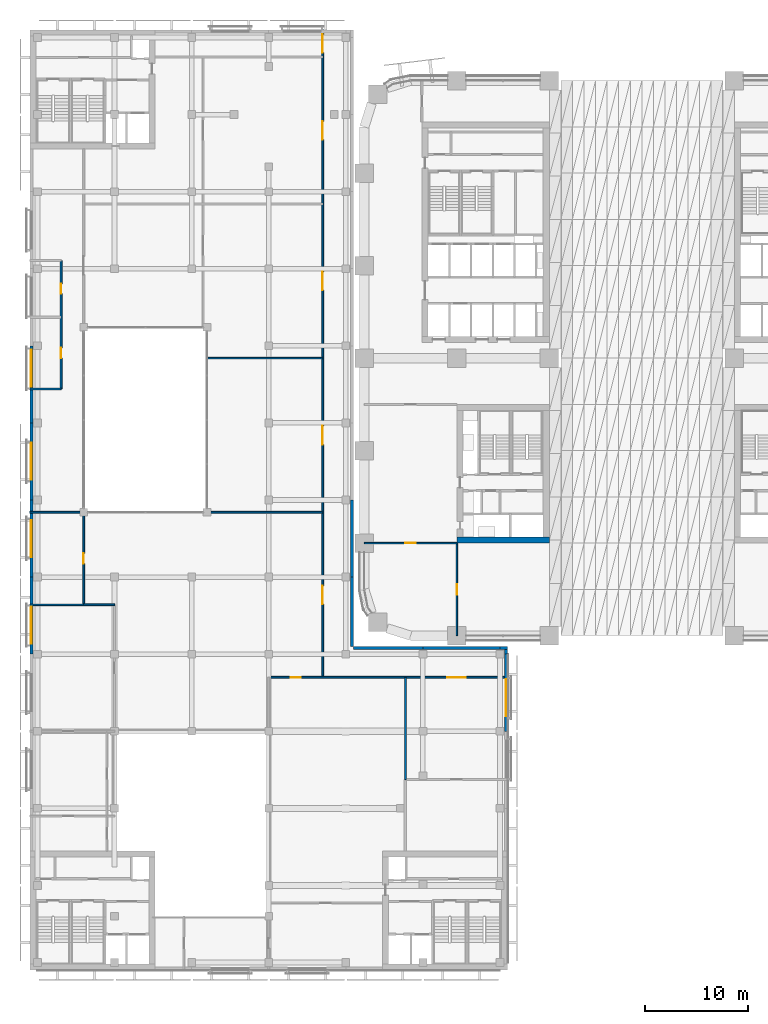
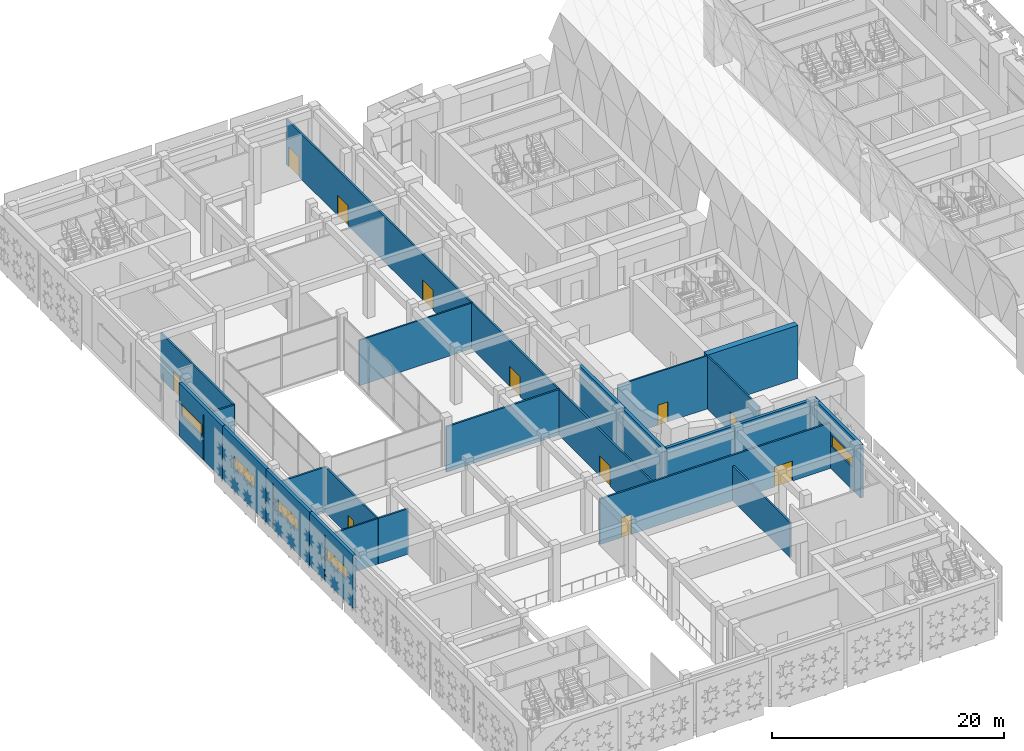
# One storey, part 16 of 46: 25 walls, 12 doors, 5 windows, 17 openings.
"""IFC4 building model written with IfcOpenShell, lengths in metres."""

from ifc_helpers import new_model, si_unit, direction, frame, frame_2d, origin, place, context, subcontext, project, spatial, rectangle, extrude, material, layer, layer_set, type_object, element, fill, save


model = new_model("IFC4")

# Units and contexts
model_context = context("Model", 3, precision=1e-05, world=origin(), true_north=direction((0.0, 1.0)))
body_context = subcontext(model_context, "Body", "Model", "MODEL_VIEW")
ifc_project = project(units=[si_unit("LENGTHUNIT", "METRE"), si_unit("AREAUNIT", "SQUARE_METRE"), si_unit("VOLUMEUNIT", "CUBIC_METRE"), si_unit("PLANEANGLEUNIT", "RADIAN"), si_unit("MASSUNIT", "GRAM", prefix="KILO")], contexts=[model_context])

# Site, building, storey
site_placement = place(None, origin())
site = spatial("IfcSite", under=ifc_project, at=site_placement, CompositionType="ELEMENT")
building_placement = place(site_placement, origin())
building = spatial("IfcBuilding", under=site, at=building_placement, Name="Tessera Arch", CompositionType="ELEMENT")
storey_placement = place(building_placement, frame((0.0, 0.0, 8.0)))
storey = spatial("IfcBuildingStorey", under=building, at=storey_placement, Name="L01", CompositionType="ELEMENT", Elevation=8.0)

# Wall
ifc_material_1 = material(Name="Concrete C70/85", Category="concrete")
ifc_layer_1 = layer(ifc_material_1, 0.60009765625)
ifc_layer_set_1 = layer_set([ifc_layer_1], Name="Core shell wall 600 C70-85")
wall_type_1 = type_object("IfcWallType", Name="Core shell wall 600 C70-85", PredefinedType="SHEAR", material=ifc_layer_set_1)
wall_1_placement = place(storey_placement, frame((9.0, 9.300048828125, 0.0), z_axis=(0.0, 0.0, 1.0), x_axis=(1.0, 0.0, 0.0)))
element("IfcWall", 1, at=wall_1_placement, inside=storey, type_object=wall_type_1, Name="L01 C4 core wall S", PredefinedType="SHEAR", context=body_context, shape_type="SweptSolid", body=[
    extrude(rectangle(XDim=9.0, YDim=0.60009765625, at=frame_2d((4.5, 0.0))), origin(), (0.0, 0.0, 1.0), 5.590087890625),
])

# Wall, openings, doors
ifc_material_2 = material(Name="Gypsum board on deep steel stud with mineral wool", Category="steel")
ifc_layer_2 = layer(ifc_material_2, 0.175048828125)
ifc_layer_set_2 = layer_set([ifc_layer_2], Name="Corridor wall 175 EI 60")
wall_type_2 = type_object("IfcWallType", Name="Corridor wall 175 EI 60", PredefinedType="PARTITIONING", material=ifc_layer_set_2)
wall_2_placement = place(storey_placement, frame((-9.300048828125, -4.050048828125, 0.0), z_axis=(0.0, 0.0, 1.0), x_axis=(1.0, 0.0, 0.0)))
wall_2 = element("IfcWall", 2, at=wall_2_placement, inside=storey, type_object=wall_type_2, Name="L01 partition 2", PredefinedType="PARTITIONING", context=body_context, shape_type="SweptSolid", body=[
    extrude(rectangle(XDim=23.25, YDim=0.175048828125, at=frame_2d((11.625, 0.0))), origin(), (0.0, 0.0, 1.0), 4.7900390625),
])
opening_1_placement = place(wall_2_placement, frame((17.375, 0.0, 0.0)))
opening_1 = element("IfcOpeningElement", 3, at=opening_1_placement, cuts=wall_2, Name="Opening L01-D002", PredefinedType="OPENING", context=body_context, shape_type="SweptSolid", body=[
    extrude(rectangle(XDim=1.800048828125, YDim=2.10009765625, at=frame_2d((0.89990234375, 1.050048828125))), frame((0.0, 0.097412109375, 0.0), z_axis=(0.0, -1.0, 0.0), x_axis=(1.0, 0.0, 0.0)), (0.0, 0.0, 1.0), 0.195068359375),
])
opening_2_placement = place(wall_2_placement, frame((2.125, 0.0, 0.0)))
opening_2 = element("IfcOpeningElement", 4, at=opening_2_placement, cuts=wall_2, Name="Opening L01-D015", PredefinedType="OPENING", context=body_context, shape_type="SweptSolid", body=[
    extrude(rectangle(XDim=1.0, YDim=2.10009765625, at=frame_2d((0.5, 1.050048828125))), frame((0.0, 0.097412109375, 0.0), z_axis=(0.0, -1.0, 0.0), x_axis=(1.0, 0.0, 0.0)), (0.0, 0.0, 1.0), 0.195068359375),
])
ifc_material_3 = material(Name="Timber door leaf", Category="wood")
door_type_1 = type_object("IfcDoorType", Name="Double door 1800 x 2100", OperationType="DOUBLE_DOOR_SINGLE_SWING", PredefinedType="DOOR", material=ifc_material_3)
door_1_placement = place(opening_1_placement, origin())
door_1 = element("IfcDoor", 5, at=door_1_placement, inside=storey, type_object=door_type_1, Name="L01 door D002 type D13", OperationType="DOUBLE_DOOR_SINGLE_SWING", OverallHeight=2.10009765625, OverallWidth=1.800048828125, PredefinedType="DOOR", context=body_context, shape_type="SweptSolid", body=[
    extrude(rectangle(XDim=1.800048828125, YDim=2.10009765625, at=frame_2d((0.89990234375, 1.050048828125))), frame((0.0, 0.02490234375, 0.0), z_axis=(0.0, -1.0, 0.0), x_axis=(1.0, 0.0, 0.0)), (0.0, 0.0, 1.0), 0.050048828125),
])
fill(opening_1, door_1)
ifc_material_4 = material(Name="Fire-rated door leaf")
door_type_2 = type_object("IfcDoorType", Name="Entrance door FD30S 1000 x 2100", OperationType="SINGLE_SWING_LEFT", PredefinedType="DOOR", material=ifc_material_4)
door_2_placement = place(opening_2_placement, origin())
door_2 = element("IfcDoor", 6, at=door_2_placement, inside=storey, type_object=door_type_2, Name="L01 door D015 type D03", OperationType="SINGLE_SWING_LEFT", OverallHeight=2.10009765625, OverallWidth=1.0, PredefinedType="DOOR", context=body_context, shape_type="SweptSolid", body=[
    extrude(rectangle(XDim=1.0, YDim=2.10009765625, at=frame_2d((0.5, 1.050048828125))), frame((0.0, 0.02490234375, 0.0), z_axis=(0.0, -1.0, 0.0), x_axis=(1.0, 0.0, 0.0)), (0.0, 0.0, 1.0), 0.050048828125),
])
fill(opening_2, door_2)

# Walls
wall_3_placement = place(storey_placement, frame((-27.300048828125, 3.0, 0.0), z_axis=(0.0, 0.0, 1.0), x_axis=(1.0, 0.0, 0.0)))
element("IfcWall", 7, at=wall_3_placement, inside=storey, type_object=wall_type_2, Name="L01 partition 3", PredefinedType="PARTITIONING", context=body_context, shape_type="SweptSolid", body=[
    extrude(rectangle(XDim=3.0, YDim=0.175048828125, at=frame_2d((1.5, 0.0))), origin(), (0.0, 0.0, 1.0), 4.7900390625),
])
wall_4_placement = place(storey_placement, frame((-32.550048828125, 12.0, 0.0), z_axis=(0.0, 0.0, 1.0), x_axis=(1.0, 0.0, 0.0)))
element("IfcWall", 8, at=wall_4_placement, inside=storey, type_object=wall_type_2, Name="L01 partition 5", PredefinedType="PARTITIONING", context=body_context, shape_type="SweptSolid", body=[
    extrude(rectangle(XDim=5.25, YDim=0.175048828125, at=frame_2d((2.625, 0.0))), origin(), (0.0, 0.0, 1.0), 4.7900390625),
])
wall_5_placement = place(storey_placement, frame((-15.300048828125, 12.0, 0.0), z_axis=(0.0, 0.0, 1.0), x_axis=(1.0, 0.0, 0.0)))
element("IfcWall", 9, at=wall_5_placement, inside=storey, type_object=wall_type_2, Name="L01 partition 6", PredefinedType="PARTITIONING", context=body_context, shape_type="SweptSolid", body=[
    extrude(rectangle(XDim=11.25, YDim=0.175048828125, at=frame_2d((5.625, 0.0))), origin(), (0.0, 0.0, 1.0), 4.7900390625),
])
wall_6_placement = place(storey_placement, frame((-32.550048828125, 24.0, 0.0), z_axis=(0.0, 0.0, 1.0), x_axis=(1.0, 0.0, 0.0)))
element("IfcWall", 10, at=wall_6_placement, inside=storey, type_object=wall_type_2, Name="L01 partition 8", PredefinedType="PARTITIONING", context=body_context, shape_type="SweptSolid", body=[
    extrude(rectangle(XDim=3.050048828125, YDim=0.175048828125, at=frame_2d((1.52490234375, 0.0))), origin(), (0.0, 0.0, 1.0), 4.7900390625),
])

# Wall, openings, doors
wall_7_placement = place(storey_placement, frame((-29.5, 24.0, 0.0), z_axis=(0.0, 0.0, 1.0), x_axis=(0.0, 1.0, 0.0)))
wall_7 = element("IfcWall", 11, at=wall_7_placement, inside=storey, type_object=wall_type_2, Name="L01 partition 13", PredefinedType="PARTITIONING", context=body_context, shape_type="SweptSolid", body=[
    extrude(rectangle(XDim=12.5, YDim=0.175048828125, at=frame_2d((6.25, 0.0))), origin(), (0.0, 0.0, 1.0), 4.7900390625),
])
opening_3_placement = place(wall_7_placement, frame((3.0, 0.0, 0.0)))
opening_3 = element("IfcOpeningElement", 12, at=opening_3_placement, cuts=wall_7, Name="Opening L01-D018", PredefinedType="OPENING", context=body_context, shape_type="SweptSolid", body=[
    extrude(rectangle(XDim=1.0, YDim=2.10009765625, at=frame_2d((0.5, 1.050048828125))), frame((0.0, 0.097412109375, 0.0), z_axis=(0.0, -1.0, 0.0), x_axis=(1.0, 0.0, 0.0)), (0.0, 0.0, 1.0), 0.195068359375),
])
opening_4_placement = place(wall_7_placement, frame((9.25, 0.0, 0.0)))
opening_4 = element("IfcOpeningElement", 13, at=opening_4_placement, cuts=wall_7, Name="Opening L01-D019", PredefinedType="OPENING", context=body_context, shape_type="SweptSolid", body=[
    extrude(rectangle(XDim=1.0, YDim=2.10009765625, at=frame_2d((0.5, 1.050048828125))), frame((0.0, 0.097412109375, 0.0), z_axis=(0.0, -1.0, 0.0), x_axis=(1.0, 0.0, 0.0)), (0.0, 0.0, 1.0), 0.195068359375),
])
door_3_placement = place(opening_3_placement, origin())
door_3 = element("IfcDoor", 14, at=door_3_placement, inside=storey, type_object=door_type_2, Name="L01 door D018 type D03", OperationType="SINGLE_SWING_RIGHT", OverallHeight=2.10009765625, OverallWidth=1.0, PredefinedType="DOOR", context=body_context, shape_type="SweptSolid", body=[
    extrude(rectangle(XDim=1.0, YDim=2.10009765625, at=frame_2d((0.5, 1.050048828125))), frame((0.0, 0.02490234375, 0.0), z_axis=(0.0, -1.0, 0.0), x_axis=(1.0, 0.0, 0.0)), (0.0, 0.0, 1.0), 0.050048828125),
])
fill(opening_3, door_3)
door_4_placement = place(opening_4_placement, origin())
door_4 = element("IfcDoor", 15, at=door_4_placement, inside=storey, type_object=door_type_2, Name="L01 door D019 type D03", OperationType="SINGLE_SWING_RIGHT", OverallHeight=2.10009765625, OverallWidth=1.0, PredefinedType="DOOR", context=body_context, shape_type="SweptSolid", body=[
    extrude(rectangle(XDim=1.0, YDim=2.10009765625, at=frame_2d((0.5, 1.050048828125))), frame((0.0, 0.02490234375, 0.0), z_axis=(0.0, -1.0, 0.0), x_axis=(1.0, 0.0, 0.0)), (0.0, 0.0, 1.0), 0.050048828125),
])
fill(opening_4, door_4)

# Wall, opening, door
wall_8_placement = place(storey_placement, frame((-27.300048828125, 3.0, 0.0), z_axis=(0.0, 0.0, 1.0), x_axis=(0.0, 1.0, 0.0)))
wall_8 = element("IfcWall", 16, at=wall_8_placement, inside=storey, type_object=wall_type_2, Name="L01 partition 14", PredefinedType="PARTITIONING", context=body_context, shape_type="SweptSolid", body=[
    extrude(rectangle(XDim=9.0, YDim=0.175048828125, at=frame_2d((4.5, 0.0))), origin(), (0.0, 0.0, 1.0), 4.7900390625),
])
opening_5_placement = place(wall_8_placement, frame((4.0, 0.0, 0.0)))
opening_5 = element("IfcOpeningElement", 17, at=opening_5_placement, cuts=wall_8, Name="Opening L01-D017", PredefinedType="OPENING", context=body_context, shape_type="SweptSolid", body=[
    extrude(rectangle(XDim=1.0, YDim=2.10009765625, at=frame_2d((0.5, 1.050048828125))), frame((0.0, 0.097412109375, 0.0), z_axis=(0.0, -1.0, 0.0), x_axis=(1.0, 0.0, 0.0)), (0.0, 0.0, 1.0), 0.195068359375),
])
door_5_placement = place(opening_5_placement, origin())
door_5 = element("IfcDoor", 18, at=door_5_placement, inside=storey, type_object=door_type_2, Name="L01 door D017 type D03", OperationType="SINGLE_SWING_RIGHT", OverallHeight=2.10009765625, OverallWidth=1.0, PredefinedType="DOOR", context=body_context, shape_type="SweptSolid", body=[
    extrude(rectangle(XDim=1.0, YDim=2.10009765625, at=frame_2d((0.5, 1.050048828125))), frame((0.0, 0.02490234375, 0.0), z_axis=(0.0, -1.0, 0.0), x_axis=(1.0, 0.0, 0.0)), (0.0, 0.0, 1.0), 0.050048828125),
])
fill(opening_5, door_5)

# Wall, openings, doors
wall_9_placement = place(storey_placement, frame((-4.050048828125, -4.050048828125, 0.0), z_axis=(0.0, 0.0, 1.0), x_axis=(0.0, 1.0, 0.0)))
wall_9 = element("IfcWall", 19, at=wall_9_placement, inside=storey, type_object=wall_type_2, Name="L01 partition 18", PredefinedType="PARTITIONING", context=body_context, shape_type="SweptSolid", body=[
    extrude(rectangle(XDim=63.0, YDim=0.175048828125, at=frame_2d((31.5, 0.0))), origin(), (0.0, 0.0, 1.0), 4.7900390625),
])
opening_6_placement = place(wall_9_placement, frame((7.125, 0.0, 0.0)))
opening_6 = element("IfcOpeningElement", 20, at=opening_6_placement, cuts=wall_9, Name="Opening L01-D001", PredefinedType="OPENING", context=body_context, shape_type="SweptSolid", body=[
    extrude(rectangle(XDim=1.800048828125, YDim=2.10009765625, at=frame_2d((0.89990234375, 1.050048828125))), frame((0.0, 0.097412109375, 0.0), z_axis=(0.0, -1.0, 0.0), x_axis=(1.0, 0.0, 0.0)), (0.0, 0.0, 1.0), 0.195068359375),
])
opening_7_placement = place(wall_9_placement, frame((60.77490234375, 0.0, 0.0)))
opening_7 = element("IfcOpeningElement", 21, at=opening_7_placement, cuts=wall_9, Name="Opening L01-D003", PredefinedType="OPENING", context=body_context, shape_type="SweptSolid", body=[
    extrude(rectangle(XDim=1.800048828125, YDim=2.10009765625, at=frame_2d((0.89990234375, 1.050048828125))), frame((0.0, 0.097412109375, 0.0), z_axis=(0.0, -1.0, 0.0), x_axis=(1.0, 0.0, 0.0)), (0.0, 0.0, 1.0), 0.195068359375),
])
opening_8_placement = place(wall_9_placement, frame((22.64990234375, 0.0, 0.0)))
opening_8 = element("IfcOpeningElement", 22, at=opening_8_placement, cuts=wall_9, Name="Opening L01-D004", PredefinedType="OPENING", context=body_context, shape_type="SweptSolid", body=[
    extrude(rectangle(XDim=1.800048828125, YDim=2.10009765625, at=frame_2d((0.89990234375, 1.050048828125))), frame((0.0, 0.097412109375, 0.0), z_axis=(0.0, -1.0, 0.0), x_axis=(1.0, 0.0, 0.0)), (0.0, 0.0, 1.0), 0.195068359375),
])
opening_9_placement = place(wall_9_placement, frame((37.64990234375, 0.0, 0.0)))
opening_9 = element("IfcOpeningElement", 23, at=opening_9_placement, cuts=wall_9, Name="Opening L01-D005", PredefinedType="OPENING", context=body_context, shape_type="SweptSolid", body=[
    extrude(rectangle(XDim=1.800048828125, YDim=2.10009765625, at=frame_2d((0.89990234375, 1.050048828125))), frame((0.0, 0.097412109375, 0.0), z_axis=(0.0, -1.0, 0.0), x_axis=(1.0, 0.0, 0.0)), (0.0, 0.0, 1.0), 0.195068359375),
])
opening_10_placement = place(wall_9_placement, frame((52.300048828125, 0.0, 0.0)))
opening_10 = element("IfcOpeningElement", 24, at=opening_10_placement, cuts=wall_9, Name="Opening L01-D006", PredefinedType="OPENING", context=body_context, shape_type="SweptSolid", body=[
    extrude(rectangle(XDim=1.800048828125, YDim=2.10009765625, at=frame_2d((0.89990234375, 1.050048828125))), frame((0.0, 0.097412109375, 0.0), z_axis=(0.0, -1.0, 0.0), x_axis=(1.0, 0.0, 0.0)), (0.0, 0.0, 1.0), 0.195068359375),
])
door_6_placement = place(opening_6_placement, origin())
door_6 = element("IfcDoor", 25, at=door_6_placement, inside=storey, type_object=door_type_1, Name="L01 door D001 type D13", OperationType="DOUBLE_DOOR_SINGLE_SWING", OverallHeight=2.10009765625, OverallWidth=1.800048828125, PredefinedType="DOOR", context=body_context, shape_type="SweptSolid", body=[
    extrude(rectangle(XDim=1.800048828125, YDim=2.10009765625, at=frame_2d((0.89990234375, 1.050048828125))), frame((0.0, 0.02490234375, 0.0), z_axis=(0.0, -1.0, 0.0), x_axis=(1.0, 0.0, 0.0)), (0.0, 0.0, 1.0), 0.050048828125),
])
fill(opening_6, door_6)
door_7_placement = place(opening_7_placement, origin())
door_7 = element("IfcDoor", 26, at=door_7_placement, inside=storey, type_object=door_type_1, Name="L01 door D003 type D13", OperationType="DOUBLE_DOOR_SINGLE_SWING", OverallHeight=2.10009765625, OverallWidth=1.800048828125, PredefinedType="DOOR", context=body_context, shape_type="SweptSolid", body=[
    extrude(rectangle(XDim=1.800048828125, YDim=2.10009765625, at=frame_2d((0.89990234375, 1.050048828125))), frame((0.0, 0.02490234375, 0.0), z_axis=(0.0, -1.0, 0.0), x_axis=(1.0, 0.0, 0.0)), (0.0, 0.0, 1.0), 0.050048828125),
])
fill(opening_7, door_7)
door_8_placement = place(opening_8_placement, origin())
door_8 = element("IfcDoor", 27, at=door_8_placement, inside=storey, type_object=door_type_1, Name="L01 door D004 type D13", OperationType="DOUBLE_DOOR_SINGLE_SWING", OverallHeight=2.10009765625, OverallWidth=1.800048828125, PredefinedType="DOOR", context=body_context, shape_type="SweptSolid", body=[
    extrude(rectangle(XDim=1.800048828125, YDim=2.10009765625, at=frame_2d((0.89990234375, 1.050048828125))), frame((0.0, 0.02490234375, 0.0), z_axis=(0.0, -1.0, 0.0), x_axis=(1.0, 0.0, 0.0)), (0.0, 0.0, 1.0), 0.050048828125),
])
fill(opening_8, door_8)
door_9_placement = place(opening_9_placement, origin())
door_9 = element("IfcDoor", 28, at=door_9_placement, inside=storey, type_object=door_type_1, Name="L01 door D005 type D13", OperationType="DOUBLE_DOOR_SINGLE_SWING", OverallHeight=2.10009765625, OverallWidth=1.800048828125, PredefinedType="DOOR", context=body_context, shape_type="SweptSolid", body=[
    extrude(rectangle(XDim=1.800048828125, YDim=2.10009765625, at=frame_2d((0.89990234375, 1.050048828125))), frame((0.0, 0.02490234375, 0.0), z_axis=(0.0, -1.0, 0.0), x_axis=(1.0, 0.0, 0.0)), (0.0, 0.0, 1.0), 0.050048828125),
])
fill(opening_9, door_9)
door_10_placement = place(opening_10_placement, origin())
door_10 = element("IfcDoor", 29, at=door_10_placement, inside=storey, type_object=door_type_1, Name="L01 door D006 type D13", OperationType="DOUBLE_DOOR_SINGLE_SWING", OverallHeight=2.10009765625, OverallWidth=1.800048828125, PredefinedType="DOOR", context=body_context, shape_type="SweptSolid", body=[
    extrude(rectangle(XDim=1.800048828125, YDim=2.10009765625, at=frame_2d((0.89990234375, 1.050048828125))), frame((0.0, 0.02490234375, 0.0), z_axis=(0.0, -1.0, 0.0), x_axis=(1.0, 0.0, 0.0)), (0.0, 0.0, 1.0), 0.050048828125),
])
fill(opening_10, door_10)

# Wall
wall_10_placement = place(storey_placement, frame((4.0, -14.0, 0.0), z_axis=(0.0, 0.0, 1.0), x_axis=(0.0, 1.0, 0.0)))
element("IfcWall", 30, at=wall_10_placement, inside=storey, type_object=wall_type_2, Name="L01 partition 19", PredefinedType="PARTITIONING", context=body_context, shape_type="SweptSolid", body=[
    extrude(rectangle(XDim=9.949951171875, YDim=0.175048828125, at=frame_2d((4.97509765625, 0.0))), origin(), (0.0, 0.0, 1.0), 3.68994140625),
])

# Wall, opening, window
ifc_material_5 = material(Name="Aluminium cladding pale metal anodised", Category="aluminium")
ifc_layer_3 = layer(ifc_material_5, 0.300048828125)
ifc_layer_set_3 = layer_set([ifc_layer_3], Name="Museum envelope wall pale metal")
wall_type_3 = type_object("IfcWallType", Name="Museum envelope wall pale metal", PredefinedType="SOLIDWALL", material=ifc_layer_set_3)
wall_11_placement = place(storey_placement, frame((13.800048828125, -9.300048828125, 0.0), z_axis=(0.0, 0.0, 1.0), x_axis=(0.0, 1.0, 0.0)))
wall_11 = element("IfcWall", 31, at=wall_11_placement, inside=storey, type_object=wall_type_3, Name="Museum external wall pale metal mashrabiya pattern", PredefinedType="SOLIDWALL", context=body_context, shape_type="SweptSolid", body=[
    extrude(rectangle(XDim=7.5, YDim=0.300048828125, at=frame_2d((3.75, 0.0))), origin(), (0.0, 0.0, 1.0), 5.590087890625),
])
opening_11_placement = place(wall_11_placement, frame((1.449951171875, 0.0, 2.39990234375)))
opening_11 = element("IfcOpeningElement", 32, at=opening_11_placement, cuts=wall_11, Name="Opening L01-MV15", PredefinedType="OPENING", context=body_context, shape_type="SweptSolid", body=[
    extrude(rectangle(XDim=3.60009765625, YDim=1.199951171875, at=frame_2d((1.800048828125, 0.60009765625))), frame((0.0, 0.159912109375, 0.0), z_axis=(0.0, -1.0, 0.0), x_axis=(1.0, 0.0, 0.0)), (0.0, 0.0, 1.0), 0.320068359375),
])
ifc_material_6 = material(Name="Clear low-e glass in aluminium frame", Category="aluminium")
window_type = type_object("IfcWindowType", Name="Museum clerestory window", PartitioningType="SINGLE_PANEL", PredefinedType="WINDOW", material=ifc_material_6)
window_1_placement = place(opening_11_placement, origin())
window_1 = element("IfcWindow", 33, at=window_1_placement, inside=storey, type_object=window_type, Name="Museum window L01 2-5", OverallHeight=1.199951171875, OverallWidth=3.60009765625, PartitioningType="SINGLE_PANEL", PredefinedType="WINDOW", context=body_context, shape_type="SweptSolid", body=[
    extrude(rectangle(XDim=3.60009765625, YDim=1.199951171875, at=frame_2d((1.800048828125, 0.60009765625))), frame((0.0, 0.030029296875, 0.0), z_axis=(0.0, -1.0, 0.0), x_axis=(1.0, 0.0, 0.0)), (0.0, 0.0, 1.0), 0.06005859375),
])
fill(opening_11, window_1)

# Wall
wall_12_placement = place(storey_placement, frame((13.800048828125, -1.800048828125, 0.0), z_axis=(0.0, 0.0, 1.0), x_axis=(0.0, 1.0, 0.0)))
element("IfcWall", 34, at=wall_12_placement, inside=storey, type_object=wall_type_3, Name="Museum external wall pale metal mashrabiya pattern", PredefinedType="SOLIDWALL", context=body_context, shape_type="SweptSolid", body=[
    extrude(rectangle(XDim=0.449951171875, YDim=0.300048828125, at=frame_2d((0.22509765625, 0.0))), origin(), (0.0, 0.0, 1.0), 5.590087890625),
])

# Wall, opening, window
wall_13_placement = place(storey_placement, frame((-32.39990234375, 28.199951171875, 0.0), z_axis=(0.0, 0.0, 1.0), x_axis=(0.0, -1.0, 0.0)))
wall_13 = element("IfcWall", 35, at=wall_13_placement, inside=storey, type_object=wall_type_3, Name="Museum external wall pale metal mashrabiya pattern", PredefinedType="SOLIDWALL", context=body_context, shape_type="SweptSolid", body=[
    extrude(rectangle(XDim=7.5, YDim=0.300048828125, at=frame_2d((3.75, 0.0))), origin(), (0.0, 0.0, 1.0), 5.590087890625),
])
opening_12_placement = place(wall_13_placement, frame((0.39990234375, 0.0, 2.39990234375)))
opening_12 = element("IfcOpeningElement", 36, at=opening_12_placement, cuts=wall_13, Name="Opening L01-MV20", PredefinedType="OPENING", context=body_context, shape_type="SweptSolid", body=[
    extrude(rectangle(XDim=3.60009765625, YDim=1.199951171875, at=frame_2d((1.800048828125, 0.60009765625))), frame((0.0, 0.159912109375, 0.0), z_axis=(0.0, -1.0, 0.0), x_axis=(1.0, 0.0, 0.0)), (0.0, 0.0, 1.0), 0.320068359375),
])
window_2_placement = place(opening_12_placement, origin())
window_2 = element("IfcWindow", 37, at=window_2_placement, inside=storey, type_object=window_type, Name="Museum window L01 6-6", OverallHeight=1.199951171875, OverallWidth=3.60009765625, PartitioningType="SINGLE_PANEL", PredefinedType="WINDOW", context=body_context, shape_type="SweptSolid", body=[
    extrude(rectangle(XDim=3.60009765625, YDim=1.199951171875, at=frame_2d((1.800048828125, 0.60009765625))), frame((0.0, 0.030029296875, 0.0), z_axis=(0.0, -1.0, 0.0), x_axis=(1.0, 0.0, 0.0)), (0.0, 0.0, 1.0), 0.06005859375),
])
fill(opening_12, window_2)

wall_14_placement = place(storey_placement, frame((-32.39990234375, 20.699951171875, 0.0), z_axis=(0.0, 0.0, 1.0), x_axis=(0.0, -1.0, 0.0)))
wall_14 = element("IfcWall", 38, at=wall_14_placement, inside=storey, type_object=wall_type_3, Name="Museum external wall pale metal mashrabiya pattern", PredefinedType="SOLIDWALL", context=body_context, shape_type="SweptSolid", body=[
    extrude(rectangle(XDim=7.5, YDim=0.300048828125, at=frame_2d((3.75, 0.0))), origin(), (0.0, 0.0, 1.0), 5.590087890625),
])
opening_13_placement = place(wall_14_placement, frame((1.949951171875, 0.0, 2.39990234375)))
opening_13 = element("IfcOpeningElement", 39, at=opening_13_placement, cuts=wall_14, Name="Opening L01-MV21", PredefinedType="OPENING", context=body_context, shape_type="SweptSolid", body=[
    extrude(rectangle(XDim=3.60009765625, YDim=1.199951171875, at=frame_2d((1.800048828125, 0.60009765625))), frame((0.0, 0.159912109375, 0.0), z_axis=(0.0, -1.0, 0.0), x_axis=(1.0, 0.0, 0.0)), (0.0, 0.0, 1.0), 0.320068359375),
])
window_3_placement = place(opening_13_placement, origin())
window_3 = element("IfcWindow", 40, at=window_3_placement, inside=storey, type_object=window_type, Name="Museum window L01 6-7", OverallHeight=1.199951171875, OverallWidth=3.60009765625, PartitioningType="SINGLE_PANEL", PredefinedType="WINDOW", context=body_context, shape_type="SweptSolid", body=[
    extrude(rectangle(XDim=3.60009765625, YDim=1.199951171875, at=frame_2d((1.800048828125, 0.60009765625))), frame((0.0, 0.030029296875, 0.0), z_axis=(0.0, -1.0, 0.0), x_axis=(1.0, 0.0, 0.0)), (0.0, 0.0, 1.0), 0.06005859375),
])
fill(opening_13, window_3)

wall_15_placement = place(storey_placement, frame((-32.39990234375, 13.199951171875, 0.0), z_axis=(0.0, 0.0, 1.0), x_axis=(0.0, -1.0, 0.0)))
wall_15 = element("IfcWall", 41, at=wall_15_placement, inside=storey, type_object=wall_type_3, Name="Museum external wall pale metal mashrabiya pattern", PredefinedType="SOLIDWALL", context=body_context, shape_type="SweptSolid", body=[
    extrude(rectangle(XDim=7.5, YDim=0.300048828125, at=frame_2d((3.75, 0.0))), origin(), (0.0, 0.0, 1.0), 5.590087890625),
])
opening_14_placement = place(wall_15_placement, frame((1.949951171875, 0.0, 2.39990234375)))
opening_14 = element("IfcOpeningElement", 42, at=opening_14_placement, cuts=wall_15, Name="Opening L01-MV22", PredefinedType="OPENING", context=body_context, shape_type="SweptSolid", body=[
    extrude(rectangle(XDim=3.60009765625, YDim=1.199951171875, at=frame_2d((1.800048828125, 0.60009765625))), frame((0.0, 0.159912109375, 0.0), z_axis=(0.0, -1.0, 0.0), x_axis=(1.0, 0.0, 0.0)), (0.0, 0.0, 1.0), 0.320068359375),
])
window_4_placement = place(opening_14_placement, origin())
window_4 = element("IfcWindow", 43, at=window_4_placement, inside=storey, type_object=window_type, Name="Museum window L01 6-8", OverallHeight=1.199951171875, OverallWidth=3.60009765625, PartitioningType="SINGLE_PANEL", PredefinedType="WINDOW", context=body_context, shape_type="SweptSolid", body=[
    extrude(rectangle(XDim=3.60009765625, YDim=1.199951171875, at=frame_2d((1.800048828125, 0.60009765625))), frame((0.0, 0.030029296875, 0.0), z_axis=(0.0, -1.0, 0.0), x_axis=(1.0, 0.0, 0.0)), (0.0, 0.0, 1.0), 0.06005859375),
])
fill(opening_14, window_4)

wall_16_placement = place(storey_placement, frame((-32.39990234375, 5.699951171875, 0.0), z_axis=(0.0, 0.0, 1.0), x_axis=(0.0, -1.0, 0.0)))
wall_16 = element("IfcWall", 44, at=wall_16_placement, inside=storey, type_object=wall_type_3, Name="Museum external wall pale metal mashrabiya pattern", PredefinedType="SOLIDWALL", context=body_context, shape_type="SweptSolid", body=[
    extrude(rectangle(XDim=7.5, YDim=0.300048828125, at=frame_2d((3.75, 0.0))), origin(), (0.0, 0.0, 1.0), 5.590087890625),
])
opening_15_placement = place(wall_16_placement, frame((2.89990234375, 0.0, 2.39990234375)))
opening_15 = element("IfcOpeningElement", 45, at=opening_15_placement, cuts=wall_16, Name="Opening L01-MV23", PredefinedType="OPENING", context=body_context, shape_type="SweptSolid", body=[
    extrude(rectangle(XDim=3.60009765625, YDim=1.199951171875, at=frame_2d((1.800048828125, 0.60009765625))), frame((0.0, 0.159912109375, 0.0), z_axis=(0.0, -1.0, 0.0), x_axis=(1.0, 0.0, 0.0)), (0.0, 0.0, 1.0), 0.320068359375),
])
window_5_placement = place(opening_15_placement, origin())
window_5 = element("IfcWindow", 46, at=window_5_placement, inside=storey, type_object=window_type, Name="Museum window L01 6-9", OverallHeight=1.199951171875, OverallWidth=3.60009765625, PartitioningType="SINGLE_PANEL", PredefinedType="WINDOW", context=body_context, shape_type="SweptSolid", body=[
    extrude(rectangle(XDim=3.60009765625, YDim=1.199951171875, at=frame_2d((1.800048828125, 0.60009765625))), frame((0.0, 0.030029296875, 0.0), z_axis=(0.0, -1.0, 0.0), x_axis=(1.0, 0.0, 0.0)), (0.0, 0.0, 1.0), 0.06005859375),
])
fill(opening_15, window_5)

# Walls
ifc_material_7 = material(Name="Concrete C40/50", Category="concrete")
ifc_layer_4 = layer(ifc_material_7, 0.300048828125)
ifc_layer_set_4 = layer_set([ifc_layer_4], Name="Museum fire wall")
wall_type_4 = type_object("IfcWallType", Name="Museum fire wall", PredefinedType="SOLIDWALL", material=ifc_layer_set_4)
wall_17_placement = place(storey_placement, frame((13.949951171875, -1.199951171875, 0.0), z_axis=(0.0, 0.0, 1.0), x_axis=(-1.0, 0.0, 0.0)))
element("IfcWall", 47, at=wall_17_placement, inside=storey, type_object=wall_type_4, Name="Museum fire wall at the movement joint", PredefinedType="SOLIDWALL", context=body_context, shape_type="SweptSolid", body=[
    extrude(rectangle(XDim=0.75, YDim=0.300048828125, at=frame_2d((0.375, 0.0))), origin(), (0.0, 0.0, 1.0), 5.590087890625),
])
wall_18_placement = place(storey_placement, frame((13.199951171875, -1.199951171875, 0.0), z_axis=(0.0, 0.0, 1.0), x_axis=(-1.0, 0.0, 0.0)))
element("IfcWall", 48, at=wall_18_placement, inside=storey, type_object=wall_type_4, Name="Museum fire wall at the movement joint", PredefinedType="SOLIDWALL", context=body_context, shape_type="SweptSolid", body=[
    extrude(rectangle(XDim=7.5, YDim=0.300048828125, at=frame_2d((3.75, 0.0))), origin(), (0.0, 0.0, 1.0), 5.590087890625),
])
for number, where, z_axis, x_axis, name in (
    (49, (5.699951171875, -1.199951171875, 0.0), (0.0, 0.0, 1.0), (-1.0, 0.0, 0.0), "Museum fire wall at the movement joint"),
    (50, (-1.199951171875, -1.050048828125, 0.0), (0.0, 0.0, 1.0), (0.0, 1.0, 0.0), "Museum fire wall at the movement joint"),
):
    element("IfcWall", number, at=place(storey_placement, frame(where, z_axis=z_axis, x_axis=x_axis)), inside=storey, type_object=wall_type_4, Name=name, PredefinedType="SOLIDWALL", context=body_context, shape_type="SweptSolid", body=[
        extrude(rectangle(XDim=6.75, YDim=0.300048828125, at=frame_2d((3.375, 0.0))), origin(), (0.0, 0.0, 1.0), 5.590087890625),
    ])
wall_19_placement = place(storey_placement, frame((-1.199951171875, 5.699951171875, 0.0), z_axis=(0.0, 0.0, 1.0), x_axis=(0.0, 1.0, 0.0)))
element("IfcWall", 51, at=wall_19_placement, inside=storey, type_object=wall_type_4, Name="Museum fire wall at the movement joint", PredefinedType="SOLIDWALL", context=body_context, shape_type="SweptSolid", body=[
    extrude(rectangle(XDim=7.5, YDim=0.300048828125, at=frame_2d((3.75, 0.0))), origin(), (0.0, 0.0, 1.0), 5.590087890625),
])
ifc_material_8 = material(Name="Gypsum board on steel stud", Category="steel")
ifc_layer_5 = layer(ifc_material_8, 0.14990234375)
ifc_layer_set_5 = layer_set([ifc_layer_5], Name="Partition 150")
wall_type_5 = type_object("IfcWallType", Name="Partition 150", PredefinedType="PARTITIONING", material=ifc_layer_set_5)
wall_20_placement = place(storey_placement, frame((-32.550048828125, 3.0, 0.0), z_axis=(0.0, 0.0, 1.0), x_axis=(1.0, 0.0, 0.0)))
element("IfcWall", 52, at=wall_20_placement, inside=storey, type_object=wall_type_5, Name="L01 partition 24", PredefinedType="PARTITIONING", context=body_context, shape_type="SweptSolid", body=[
    extrude(rectangle(XDim=5.25, YDim=0.14990234375, at=frame_2d((2.625, 0.0))), origin(), (0.0, 0.0, 1.0), 4.7900390625),
])
wall_21_placement = place(storey_placement, frame((-15.300048828125, 27.0, 0.0), z_axis=(0.0, 0.0, 1.0), x_axis=(1.0, 0.0, 0.0)))
element("IfcWall", 53, at=wall_21_placement, inside=storey, type_object=wall_type_5, Name="L01 partition 25", PredefinedType="PARTITIONING", context=body_context, shape_type="SweptSolid", body=[
    extrude(rectangle(XDim=11.25, YDim=0.14990234375, at=frame_2d((5.625, 0.0))), origin(), (0.0, 0.0, 1.0), 4.7900390625),
])

# Wall, opening, door
ifc_material_9 = material(Name="Gypsum board on steel stud", Category="steel")
ifc_layer_6 = layer(ifc_material_9, 0.14990234375)
ifc_layer_set_6 = layer_set([ifc_layer_6], Name="Partition 150 EI 30")
wall_type_6 = type_object("IfcWallType", Name="Partition 150 EI 30", PredefinedType="PARTITIONING", material=ifc_layer_set_6)
wall_22_placement = place(storey_placement, frame((0.0, 9.0, 0.0), z_axis=(0.0, 0.0, 1.0), x_axis=(1.0, 0.0, 0.0)))
wall_22 = element("IfcWall", 54, at=wall_22_placement, inside=storey, type_object=wall_type_6, Name="L01 partition 31", PredefinedType="PARTITIONING", context=body_context, shape_type="SweptSolid", body=[
    extrude(rectangle(XDim=9.0, YDim=0.14990234375, at=frame_2d((4.5, 0.0))), origin(), (0.0, 0.0, 1.0), 5.590087890625),
])
opening_16_placement = place(wall_22_placement, frame((4.0, 0.0, 0.0)))
opening_16 = element("IfcOpeningElement", 55, at=opening_16_placement, cuts=wall_22, Name="Opening L01-D024", PredefinedType="OPENING", context=body_context, shape_type="SweptSolid", body=[
    extrude(rectangle(XDim=1.0, YDim=2.10009765625, at=frame_2d((0.5, 1.050048828125))), frame((0.0, 0.0849609375, 0.0), z_axis=(0.0, -1.0, 0.0), x_axis=(1.0, 0.0, 0.0)), (0.0, 0.0, 1.0), 0.169921875),
])
door_11_placement = place(opening_16_placement, origin())
door_11 = element("IfcDoor", 56, at=door_11_placement, inside=storey, type_object=door_type_2, Name="L01 door D024 type D03", OperationType="SINGLE_SWING_LEFT", OverallHeight=2.10009765625, OverallWidth=1.0, PredefinedType="DOOR", context=body_context, shape_type="SweptSolid", body=[
    extrude(rectangle(XDim=1.0, YDim=2.10009765625, at=frame_2d((0.5, 1.050048828125))), frame((0.0, 0.02490234375, 0.0), z_axis=(0.0, -1.0, 0.0), x_axis=(1.0, 0.0, 0.0)), (0.0, 0.0, 1.0), 0.050048828125),
])
fill(opening_16, door_11)

wall_23_placement = place(storey_placement, frame((9.0, 0.0, 0.0), z_axis=(0.0, 0.0, 1.0), x_axis=(0.0, 1.0, 0.0)))
wall_23 = element("IfcWall", 57, at=wall_23_placement, inside=storey, type_object=wall_type_6, Name="L01 partition 35", PredefinedType="PARTITIONING", context=body_context, shape_type="SweptSolid", body=[
    extrude(rectangle(XDim=9.0, YDim=0.14990234375, at=frame_2d((4.5, 0.0))), origin(), (0.0, 0.0, 1.0), 5.590087890625),
])
opening_17_placement = place(wall_23_placement, frame((4.0, 0.0, 0.0)))
opening_17 = element("IfcOpeningElement", 58, at=opening_17_placement, cuts=wall_23, Name="Opening L01-D025", PredefinedType="OPENING", context=body_context, shape_type="SweptSolid", body=[
    extrude(rectangle(XDim=1.0, YDim=2.10009765625, at=frame_2d((0.5, 1.050048828125))), frame((0.0, 0.0849609375, 0.0), z_axis=(0.0, -1.0, 0.0), x_axis=(1.0, 0.0, 0.0)), (0.0, 0.0, 1.0), 0.169921875),
])
door_12_placement = place(opening_17_placement, origin())
door_12 = element("IfcDoor", 59, at=door_12_placement, inside=storey, type_object=door_type_2, Name="L01 door D025 type D03", OperationType="SINGLE_SWING_LEFT", OverallHeight=2.10009765625, OverallWidth=1.0, PredefinedType="DOOR", context=body_context, shape_type="SweptSolid", body=[
    extrude(rectangle(XDim=1.0, YDim=2.10009765625, at=frame_2d((0.5, 1.050048828125))), frame((0.0, 0.02490234375, 0.0), z_axis=(0.0, -1.0, 0.0), x_axis=(1.0, 0.0, 0.0)), (0.0, 0.0, 1.0), 0.050048828125),
])
fill(opening_17, door_12)

save(model, "model.ifc")
